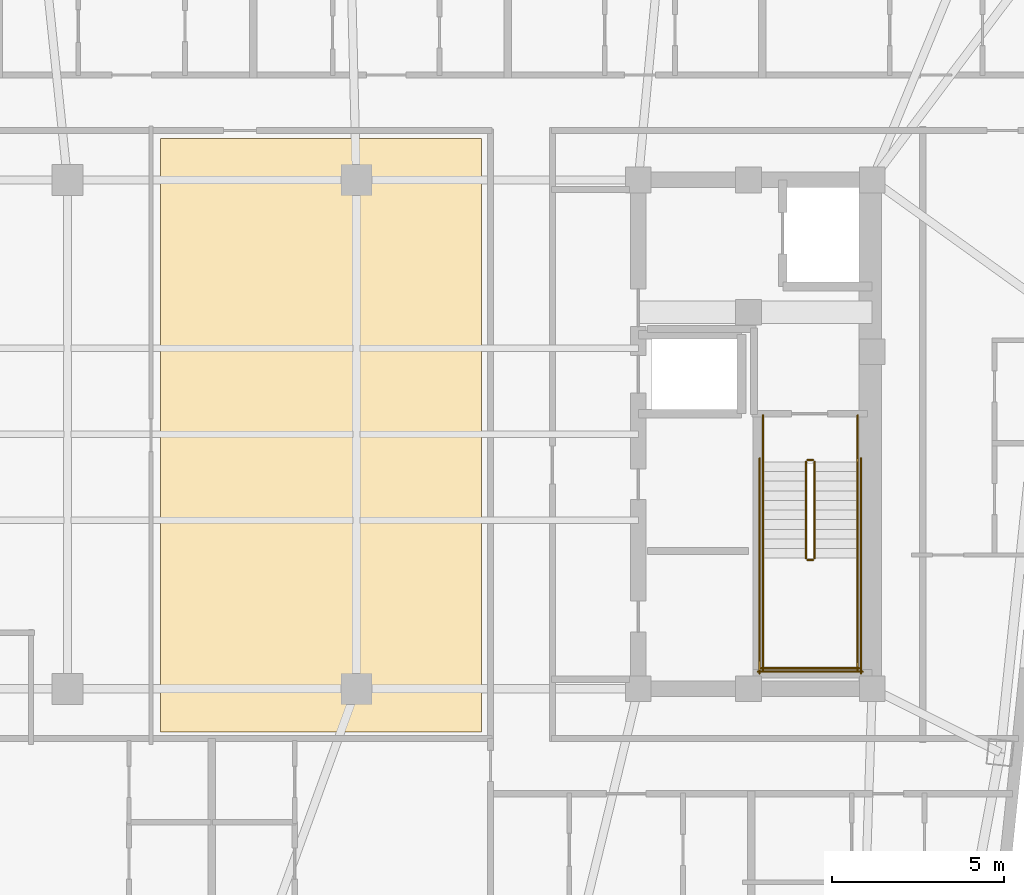
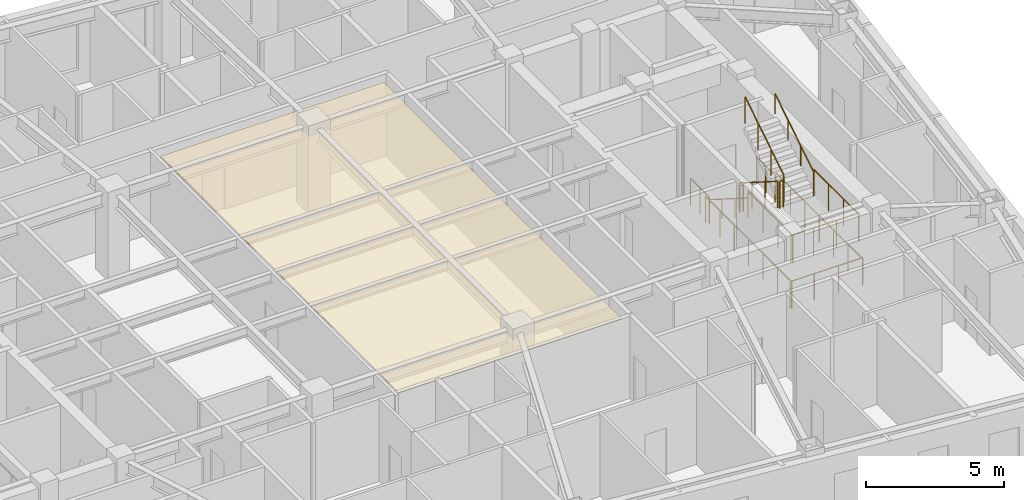
# One storey, part 11 of 11: 14 railings, 1 covering.
"""IFC4 building model written with IfcOpenShell, lengths in metres."""

from ifc_helpers import new_model, si_unit, direction, frame, origin, origin_2d, place, context, subcontext, project, spatial, polyline, circle, outline, extrude, material, layer, layer_set, type_object, element, save


model = new_model("IFC4")

# Units and contexts
model_context = context("Model", 3, precision=1e-05, world=origin(), true_north=direction((0.0, 1.0)))
body_context = subcontext(model_context, "Body", "Model", "MODEL_VIEW")
ifc_project = project(units=[si_unit("LENGTHUNIT", "METRE"), si_unit("AREAUNIT", "SQUARE_METRE"), si_unit("VOLUMEUNIT", "CUBIC_METRE"), si_unit("PLANEANGLEUNIT", "RADIAN"), si_unit("MASSUNIT", "GRAM", prefix="KILO")], contexts=[model_context])

# Site, building, storey
site_placement = place(None, origin())
site = spatial("IfcSite", under=ifc_project, at=site_placement, CompositionType="ELEMENT")
building_placement = place(site_placement, origin())
building = spatial("IfcBuilding", under=site, at=building_placement, Name="Voryun Gate Residences", CompositionType="ELEMENT")
storey_placement = place(building_placement, frame((0.0, 0.0, 302.89990234375)))
storey = spatial("IfcBuildingStorey", under=building, at=storey_placement, Name="L75", CompositionType="ELEMENT", Elevation=302.89990234375)

# Covering
ifc_material_1 = material(Name="Gypsum acoustic ceiling")
ifc_layer = layer(ifc_material_1, 0.02490234375, Name="COV_CEILING_ACOUSTIC")
ifc_layer_set = layer_set([ifc_layer], Name="Gypsum acoustic ceiling")
covering_type = type_object("IfcCoveringType", Name="COV_CEILING_ACOUSTIC", PredefinedType="CEILING", material=ifc_layer_set)
covering_placement = place(storey_placement, frame((0.0, 0.0, 3.385009765625)))
element("IfcCovering", 1, at=covering_placement, inside=storey, type_object=covering_type, Name="Acoustic ceiling CLG-L75-01", PredefinedType="CEILING", context=body_context, shape_type="SweptSolid", body=[
    extrude(outline(polyline([(-1.492919921875, -8.64990234375), (-1.492919921875, 8.60009765625), (7.840087890625, 8.60009765625), (7.840087890625, -8.64990234375), (-1.492919921875, -8.64990234375)])), origin(), (0.0, 0.0, 1.0), 0.025146484375),
])

# Railings
ifc_material_2 = material(Name="Painted steel", Category="steel")
railing_type_1 = type_object("IfcRailingType", Name="RAIL_STAIR_GUARD_1200", PredefinedType="GUARDRAIL", material=ifc_material_2)
railing_1_placement = place(storey_placement, frame((17.27490234375, -0.800048828125, 0.177490234375)))
element("IfcRailing", 2, at=railing_1_placement, inside=storey, type_object=railing_type_1, Name="L75 ST-E1 stair guard 1", PredefinedType="GUARDRAIL", context=body_context, shape_type="SweptSolid", body=[
    extrude(circle(Radius=0.02392578125, at=origin_2d()), frame((0.0, 0.0, 1.17578125), z_axis=(0.0, -0.844908973607, 0.534910110503), x_axis=(1.0, 0.0, 0.0)), (0.0, 0.0, 1.0), 3.31396484375),
    extrude(circle(Radius=0.02099609375, at=origin_2d()), origin(), (0.0, 0.0, 1.0), 1.15185546875),
    extrude(circle(Radius=0.02099609375, at=origin_2d()), frame((0.0, -0.933349609375, 0.5908203125)), (0.0, 0.0, 1.0), 1.15185546875),
    extrude(circle(Radius=0.02099609375, at=origin_2d()), frame((0.0, -1.86669921875, 1.181884765625)), (0.0, 0.0, 1.0), 1.15185546875),
    extrude(circle(Radius=0.02099609375, at=origin_2d()), frame((0.0, -2.800048828125, 1.772705078125)), (0.0, 0.0, 1.0), 1.15185546875),
])
railing_2_placement = place(storey_placement, frame((17.324951171875, -3.64990234375, 1.9501953125)))
element("IfcRailing", 3, at=railing_2_placement, inside=storey, type_object=railing_type_1, Name="L75 ST-E1 stair guard 2", PredefinedType="GUARDRAIL", context=body_context, shape_type="SweptSolid", body=[
    extrude(circle(Radius=0.02392578125, at=origin_2d()), frame((0.0, 0.0, 1.17578125), z_axis=(1.0, 0.0, 0.0), x_axis=(0.0, 1.0, 0.0)), (0.0, 0.0, 1.0), 0.150146484375),
    extrude(circle(Radius=0.02099609375, at=origin_2d()), origin(), (0.0, 0.0, 1.0), 1.15185546875),
    extrude(circle(Radius=0.02099609375, at=origin_2d()), frame((0.150146484375, 0.0, 0.0)), (0.0, 0.0, 1.0), 1.15185546875),
])
for number, where, name in (
    (4, (16.02490234375, -3.60009765625, 1.9501953125), "L75 ST-E1 stair guard 3"),
    (5, (18.77490234375, -3.60009765625, 1.9501953125), "L75 ST-E1 stair guard 4"),
):
    element("IfcRailing", number, at=place(storey_placement, frame(where)), inside=storey, type_object=railing_type_1, Name=name, PredefinedType="GUARDRAIL", context=body_context, shape_type="SweptSolid", body=[
        extrude(circle(Radius=0.02392578125, at=origin_2d()), frame((0.0, 0.0, 1.17578125), z_axis=(0.0, -1.0, 0.0), x_axis=(1.0, 0.0, 0.0)), (0.0, 0.0, 1.0), 3.25),
        extrude(circle(Radius=0.02099609375, at=origin_2d()), origin(), (0.0, 0.0, 1.0), 1.15185546875),
        extrude(circle(Radius=0.02099609375, at=origin_2d()), frame((0.0, -1.083251953125, 0.0)), (0.0, 0.0, 1.0), 1.15185546875),
        extrude(circle(Radius=0.02099609375, at=origin_2d()), frame((0.0, -2.166748046875, 0.0)), (0.0, 0.0, 1.0), 1.15185546875),
        extrude(circle(Radius=0.02099609375, at=origin_2d()), frame((0.0, -3.25, 0.0)), (0.0, 0.0, 1.0), 1.15185546875),
    ])
railing_3_placement = place(storey_placement, frame((15.97509765625, -6.800048828125, 1.9501953125)))
element("IfcRailing", 6, at=railing_3_placement, inside=storey, type_object=railing_type_1, Name="L75 ST-E1 stair guard 5", PredefinedType="GUARDRAIL", context=body_context, shape_type="SweptSolid", body=[
    extrude(circle(Radius=0.02392578125, at=origin_2d()), frame((0.0, 0.0, 1.17578125), z_axis=(1.0, 0.0, 0.0), x_axis=(0.0, 1.0, 0.0)), (0.0, 0.0, 1.0), 2.849853515625),
    extrude(circle(Radius=0.02099609375, at=origin_2d()), origin(), (0.0, 0.0, 1.0), 1.15185546875),
    extrude(circle(Radius=0.02099609375, at=origin_2d()), frame((0.949951171875, 0.0, 0.0)), (0.0, 0.0, 1.0), 1.15185546875),
    extrude(circle(Radius=0.02099609375, at=origin_2d()), frame((1.89990234375, 0.0, 0.0)), (0.0, 0.0, 1.0), 1.15185546875),
    extrude(circle(Radius=0.02099609375, at=origin_2d()), frame((2.849853515625, 0.0, 0.0)), (0.0, 0.0, 1.0), 1.15185546875),
])
railing_4_placement = place(storey_placement, frame((17.52490234375, -3.60009765625, 2.12744140625)))
element("IfcRailing", 7, at=railing_4_placement, inside=storey, type_object=railing_type_1, Name="L75 ST-E1 stair guard 6", PredefinedType="GUARDRAIL", context=body_context, shape_type="SweptSolid", body=[
    extrude(circle(Radius=0.02392578125, at=origin_2d()), frame((0.0, 0.0, 1.17578125), z_axis=(0.0, 0.844908973607, 0.534910110503), x_axis=(-1.0, 0.0, 0.0)), (0.0, 0.0, 1.0), 3.31396484375),
    extrude(circle(Radius=0.02099609375, at=origin_2d()), origin(), (0.0, 0.0, 1.0), 1.15185546875),
    extrude(circle(Radius=0.02099609375, at=origin_2d()), frame((0.0, 0.933349609375, 0.5908203125)), (0.0, 0.0, 1.0), 1.15185546875),
    extrude(circle(Radius=0.02099609375, at=origin_2d()), frame((0.0, 1.86669921875, 1.181884765625)), (0.0, 0.0, 1.0), 1.15185546875),
    extrude(circle(Radius=0.02099609375, at=origin_2d()), frame((0.0, 2.800048828125, 1.772705078125)), (0.0, 0.0, 1.0), 1.15185546875),
])
railing_5_placement = place(storey_placement, frame((17.324951171875, -0.75, 0.0)))
element("IfcRailing", 8, at=railing_5_placement, inside=storey, type_object=railing_type_1, Name="L75 ST-E1 stair guard 7", PredefinedType="GUARDRAIL", context=body_context, shape_type="SweptSolid", body=[
    extrude(circle(Radius=0.02392578125, at=origin_2d()), frame((0.0, 0.0, 1.17578125), z_axis=(1.0, 0.0, 0.0), x_axis=(0.0, 1.0, 0.0)), (0.0, 0.0, 1.0), 0.150146484375),
    extrude(circle(Radius=0.02099609375, at=origin_2d()), origin(), (0.0, 0.0, 1.0), 1.15185546875),
    extrude(circle(Radius=0.02099609375, at=origin_2d()), frame((0.150146484375, 0.0, 0.0)), (0.0, 0.0, 1.0), 1.15185546875),
])
for number, where, name in (
    (9, (16.02490234375, 0.550048828125, 0.0), "L75 ST-E1 stair guard 8"),
    (10, (18.77490234375, 0.550048828125, 0.0), "L75 ST-E1 stair guard 9"),
):
    element("IfcRailing", number, at=place(storey_placement, frame(where)), inside=storey, type_object=railing_type_1, Name=name, PredefinedType="GUARDRAIL", context=body_context, shape_type="SweptSolid", body=[
        extrude(circle(Radius=0.02392578125, at=origin_2d()), frame((0.0, 0.0, 1.17578125), z_axis=(0.0, -1.0, 0.0), x_axis=(1.0, 0.0, 0.0)), (0.0, 0.0, 1.0), 1.35009765625),
        extrude(circle(Radius=0.02099609375, at=origin_2d()), origin(), (0.0, 0.0, 1.0), 1.15185546875),
        extrude(circle(Radius=0.02099609375, at=origin_2d()), frame((0.0, -0.675048828125, 0.0)), (0.0, 0.0, 1.0), 1.15185546875),
        extrude(circle(Radius=0.02099609375, at=origin_2d()), frame((0.0, -1.35009765625, 0.0)), (0.0, 0.0, 1.0), 1.15185546875),
    ])
for number, where, name in (
    (11, (15.925048828125, -0.699951171875, 0.0), "L75 ST-E1 stair guard 10"),
    (12, (18.875, -0.699951171875, 0.0), "L75 ST-E1 stair guard 11"),
):
    element("IfcRailing", number, at=place(storey_placement, frame(where)), inside=storey, type_object=railing_type_1, Name=name, PredefinedType="GUARDRAIL", context=body_context, shape_type="SweptSolid", body=[
        extrude(circle(Radius=0.02392578125, at=origin_2d()), frame((0.0, 0.0, 1.17578125), z_axis=(0.0, -1.0, 0.0), x_axis=(1.0, 0.0, 0.0)), (0.0, 0.0, 1.0), 6.25),
        extrude(circle(Radius=0.02099609375, at=origin_2d()), origin(), (0.0, 0.0, 1.0), 1.15185546875),
        extrude(circle(Radius=0.02099609375, at=origin_2d()), frame((0.0, -1.041748046875, 0.0)), (0.0, 0.0, 1.0), 1.15185546875),
        extrude(circle(Radius=0.02099609375, at=origin_2d()), frame((0.0, -2.083251953125, 0.0)), (0.0, 0.0, 1.0), 1.15185546875),
        extrude(circle(Radius=0.02099609375, at=origin_2d()), frame((0.0, -3.125, 0.0)), (0.0, 0.0, 1.0), 1.15185546875),
        extrude(circle(Radius=0.02099609375, at=origin_2d()), frame((0.0, -4.166748046875, 0.0)), (0.0, 0.0, 1.0), 1.15185546875),
        extrude(circle(Radius=0.02099609375, at=origin_2d()), frame((0.0, -5.208251953125, 0.0)), (0.0, 0.0, 1.0), 1.15185546875),
        extrude(circle(Radius=0.02099609375, at=origin_2d()), frame((0.0, -6.25, 0.0)), (0.0, 0.0, 1.0), 1.15185546875),
    ])
railing_6_placement = place(storey_placement, frame((15.875, -6.89990234375, 0.0)))
element("IfcRailing", 13, at=railing_6_placement, inside=storey, type_object=railing_type_1, Name="L75 ST-E1 stair guard 12", PredefinedType="GUARDRAIL", context=body_context, shape_type="SweptSolid", body=[
    extrude(circle(Radius=0.02392578125, at=origin_2d()), frame((0.0, 0.0, 1.17578125), z_axis=(1.0, 0.0, 0.0), x_axis=(0.0, 1.0, 0.0)), (0.0, 0.0, 1.0), 3.050048828125),
    extrude(circle(Radius=0.02099609375, at=origin_2d()), origin(), (0.0, 0.0, 1.0), 1.15185546875),
    extrude(circle(Radius=0.02099609375, at=origin_2d()), frame((1.0166015625, 0.0, 0.0)), (0.0, 0.0, 1.0), 1.15185546875),
    extrude(circle(Radius=0.02099609375, at=origin_2d()), frame((2.033447265625, 0.0, 0.0)), (0.0, 0.0, 1.0), 1.15185546875),
    extrude(circle(Radius=0.02099609375, at=origin_2d()), frame((3.050048828125, 0.0, 0.0)), (0.0, 0.0, 1.0), 1.15185546875),
])
ifc_material_3 = material(Name="Painted steel", Category="steel")
railing_type_2 = type_object("IfcRailingType", Name="RAIL_STAIR_HANDRAIL_900", PredefinedType="HANDRAIL", material=ifc_material_3)
railing_7_placement = place(storey_placement, frame((16.02490234375, -0.800048828125, 0.177490234375)))
element("IfcRailing", 14, at=railing_7_placement, inside=storey, type_object=railing_type_2, Name="L75 ST-E1 stair handrail 1", PredefinedType="HANDRAIL", context=body_context, shape_type="SweptSolid", body=[
    extrude(circle(Radius=0.02392578125, at=origin_2d()), frame((0.0, 0.0, 0.8759765625), z_axis=(0.0, -0.844908973607, 0.534910110503), x_axis=(1.0, 0.0, 0.0)), (0.0, 0.0, 1.0), 3.31396484375),
    extrude(circle(Radius=0.02099609375, at=origin_2d()), origin(), (0.0, 0.0, 1.0), 0.851806640625),
    extrude(circle(Radius=0.02099609375, at=origin_2d()), frame((0.0, -0.933349609375, 0.5908203125)), (0.0, 0.0, 1.0), 0.851806640625),
    extrude(circle(Radius=0.02099609375, at=origin_2d()), frame((0.0, -1.86669921875, 1.181884765625)), (0.0, 0.0, 1.0), 0.851806640625),
    extrude(circle(Radius=0.02099609375, at=origin_2d()), frame((0.0, -2.800048828125, 1.772705078125)), (0.0, 0.0, 1.0), 0.851806640625),
])
railing_8_placement = place(storey_placement, frame((18.77490234375, -3.60009765625, 2.12744140625)))
element("IfcRailing", 15, at=railing_8_placement, inside=storey, type_object=railing_type_2, Name="L75 ST-E1 stair handrail 2", PredefinedType="HANDRAIL", context=body_context, shape_type="SweptSolid", body=[
    extrude(circle(Radius=0.02392578125, at=origin_2d()), frame((0.0, 0.0, 0.8759765625), z_axis=(0.0, 0.844908973607, 0.534910110503), x_axis=(-1.0, 0.0, 0.0)), (0.0, 0.0, 1.0), 3.31396484375),
    extrude(circle(Radius=0.02099609375, at=origin_2d()), origin(), (0.0, 0.0, 1.0), 0.851806640625),
    extrude(circle(Radius=0.02099609375, at=origin_2d()), frame((0.0, 0.933349609375, 0.5908203125)), (0.0, 0.0, 1.0), 0.851806640625),
    extrude(circle(Radius=0.02099609375, at=origin_2d()), frame((0.0, 1.86669921875, 1.181884765625)), (0.0, 0.0, 1.0), 0.851806640625),
    extrude(circle(Radius=0.02099609375, at=origin_2d()), frame((0.0, 2.800048828125, 1.772705078125)), (0.0, 0.0, 1.0), 0.851806640625),
])

save(model, "model.ifc")
